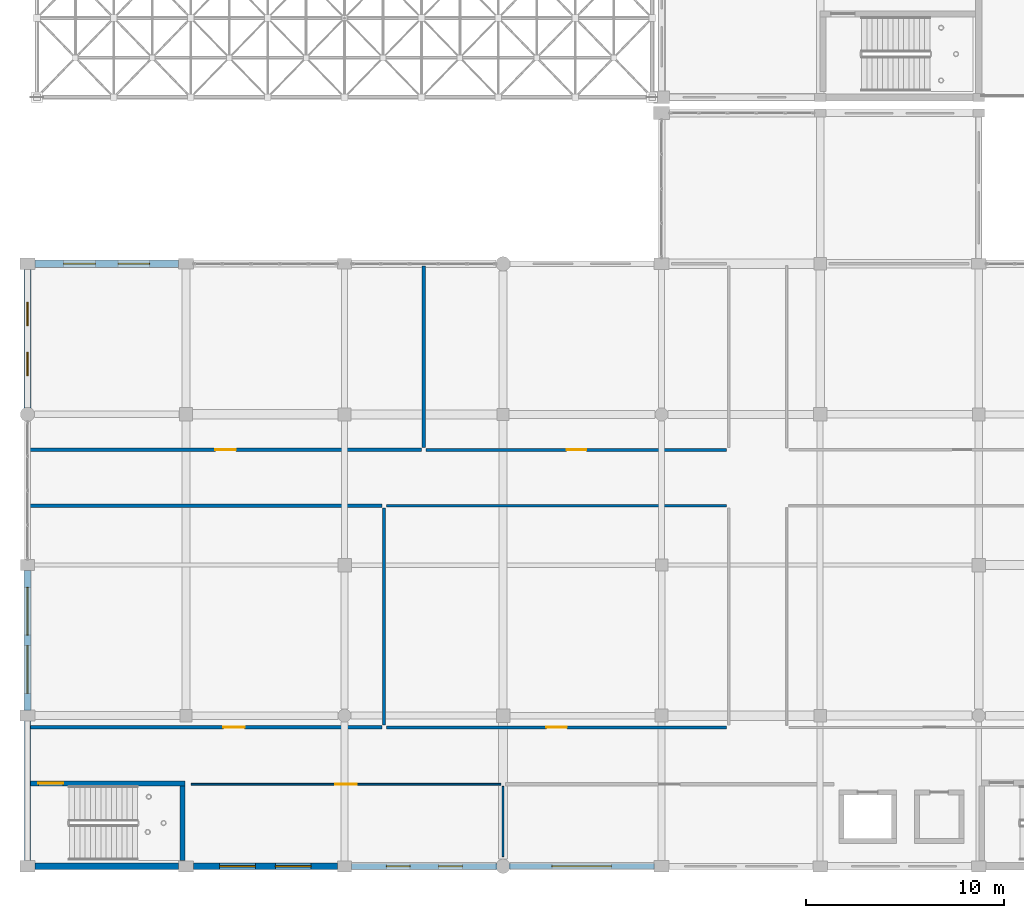
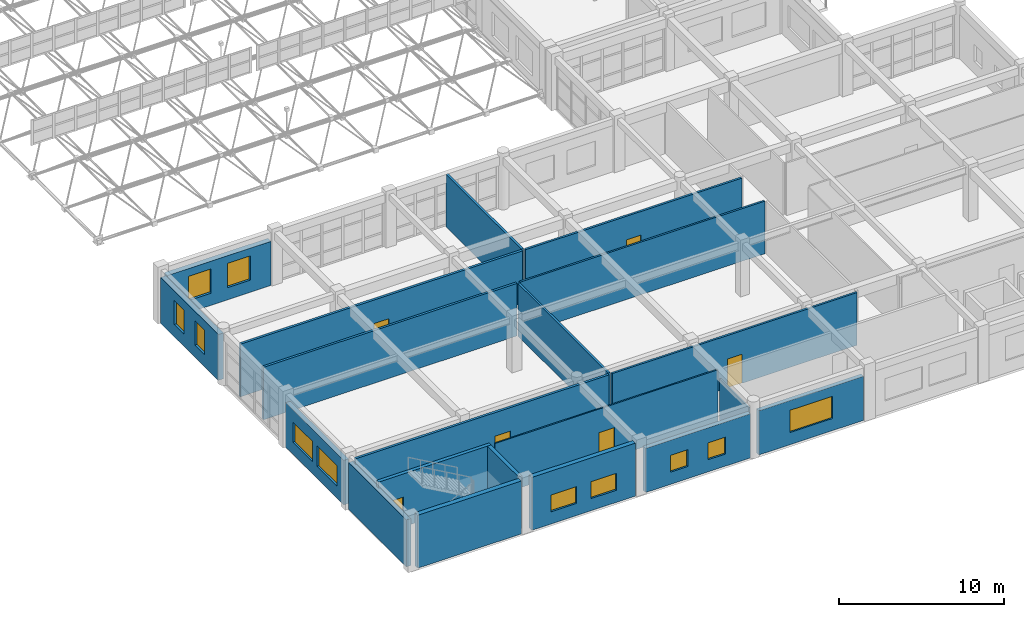
# One storey, part 164 of 195: 20 walls, 11 windows, 6 doors, 17 openings.
"""IFC4 building model written with IfcOpenShell, lengths in metres."""

from ifc_helpers import new_model, si_unit, direction, frame, frame_2d, origin, place, context, subcontext, project, spatial, rectangle, extrude, material, layer, layer_set, type_object, element, fill, save


model = new_model("IFC4")

# Units and contexts
model_context = context("Model", 3, precision=1e-05, world=origin(), true_north=direction((0.0, 1.0)))
body_context = subcontext(model_context, "Body", "Model", "MODEL_VIEW")
ifc_project = project(units=[si_unit("LENGTHUNIT", "METRE"), si_unit("AREAUNIT", "SQUARE_METRE"), si_unit("VOLUMEUNIT", "CUBIC_METRE"), si_unit("PLANEANGLEUNIT", "RADIAN"), si_unit("MASSUNIT", "GRAM", prefix="KILO")], contexts=[model_context])

# Site, building, storey
site_placement = place(None, origin())
site = spatial("IfcSite", under=ifc_project, at=site_placement, CompositionType="ELEMENT")
building_placement = place(site_placement, origin())
building = spatial("IfcBuilding", under=site, at=building_placement, Name="Kharva Crest Polytechnic", CompositionType="ELEMENT")
storey_placement = place(building_placement, frame((0.0, 0.0, 9.0)))
storey = spatial("IfcBuildingStorey", under=building, at=storey_placement, Name="L02", CompositionType="ELEMENT", Elevation=9.0)

# Wall, opening, window
ifc_material_1 = material(Name="Kiln brick masonry", Category="masonry")
ifc_layer_1 = layer(ifc_material_1, 0.2900390625, Name="Kiln brick masonry")
ifc_layer_set_1 = layer_set([ifc_layer_1], Name="Kiln brick masonry")
wall_type_1 = type_object("IfcWallType", Name="WL-EXT-BRK-290", PredefinedType="SOLIDWALL", material=ifc_layer_set_1)
wall_1_placement = place(storey_placement, frame((24.302490234375, 0.0, 0.0), z_axis=(0.0, 0.0, 1.0), x_axis=(1.0, 0.0, 0.0)))
wall_1 = element("IfcWall", 1, at=wall_1_placement, inside=storey, type_object=wall_type_1, Name="L02 Exterior Brick Wall 216", PredefinedType="SOLIDWALL", context=body_context, shape_type="SweptSolid", body=[
    extrude(rectangle(XDim=7.327392578125, YDim=0.2900390625, at=frame_2d((3.66357421875, 0.0))), origin(), (0.0, 0.0, 1.0), 3.27001953125),
])
opening_1_placement = place(wall_1_placement, frame((2.1640625, 0.0, 0.89990234375)))
opening_1 = element("IfcOpeningElement", 2, at=opening_1_placement, cuts=wall_1, Name="Opening W23", PredefinedType="OPENING", context=body_context, shape_type="SweptSolid", body=[
    extrude(rectangle(XDim=3.0, YDim=1.64990234375, at=frame_2d((1.5, 0.824951171875))), frame((0.0, 0.155029296875, 0.0), z_axis=(0.0, -1.0, 0.0), x_axis=(1.0, 0.0, 0.0)), (0.0, 0.0, 1.0), 0.31005859375),
])
ifc_material_2 = material(Name="Anodised aluminium", Category="aluminium")
window_type_1 = type_object("IfcWindowType", Name="WIN-ALU-3000X1650", PartitioningType="SINGLE_PANEL", PredefinedType="WINDOW", material=ifc_material_2)
window_1_placement = place(opening_1_placement, origin())
window_1 = element("IfcWindow", 3, at=window_1_placement, inside=storey, type_object=window_type_1, Name="L02 Exterior Window 284", OverallHeight=1.64990234375, OverallWidth=3.0, PartitioningType="SINGLE_PANEL", PredefinedType="WINDOW", context=body_context, shape_type="SweptSolid", body=[
    extrude(rectangle(XDim=3.0, YDim=1.64990234375, at=frame_2d((1.5, 0.824951171875))), frame((0.0, 0.030029296875, 0.0), z_axis=(0.0, -1.0, 0.0), x_axis=(1.0, 0.0, 0.0)), (0.0, 0.0, 1.0), 0.06005859375),
])
fill(opening_1, window_1)

# Wall, openings, windows
ifc_layer_2 = layer(ifc_material_1, 0.304931640625, Name="Kiln brick masonry")
ifc_layer_set_2 = layer_set([ifc_layer_2], Name="Kiln brick masonry")
wall_type_2 = type_object("IfcWallType", Name="WL-EXT-BRK-305", PredefinedType="SOLIDWALL", material=ifc_layer_set_2)
wall_2_placement = place(storey_placement, frame((16.35498046875, 0.0, 0.0), z_axis=(0.0, 0.0, 1.0), x_axis=(1.0, 0.0, 0.0)))
wall_2 = element("IfcWall", 4, at=wall_2_placement, inside=storey, type_object=wall_type_2, Name="L02 Exterior Brick Wall 215", PredefinedType="SOLIDWALL", context=body_context, shape_type="SweptSolid", body=[
    extrude(rectangle(XDim=7.342529296875, YDim=0.304931640625, at=frame_2d((3.67138671875, 0.0))), origin(), (0.0, 0.0, 1.0), 3.27001953125),
])
opening_2_placement = place(wall_2_placement, frame((1.75390625, 0.0, 0.89990234375)))
opening_2 = element("IfcOpeningElement", 5, at=opening_2_placement, cuts=wall_2, Name="Opening W21", PredefinedType="OPENING", context=body_context, shape_type="SweptSolid", body=[
    extrude(rectangle(XDim=1.199951171875, YDim=1.25, at=frame_2d((0.60009765625, 0.625))), frame((0.0, 0.162353515625, 0.0), z_axis=(0.0, -1.0, 0.0), x_axis=(1.0, 0.0, 0.0)), (0.0, 0.0, 1.0), 0.324951171875),
])
opening_3_placement = place(wall_2_placement, frame((4.387939453125, 0.0, 0.89990234375)))
opening_3 = element("IfcOpeningElement", 6, at=opening_3_placement, cuts=wall_2, Name="Opening W21", PredefinedType="OPENING", context=body_context, shape_type="SweptSolid", body=[
    extrude(rectangle(XDim=1.199951171875, YDim=1.25, at=frame_2d((0.60009765625, 0.625))), frame((0.0, 0.162353515625, 0.0), z_axis=(0.0, -1.0, 0.0), x_axis=(1.0, 0.0, 0.0)), (0.0, 0.0, 1.0), 0.324951171875),
])
window_type_2 = type_object("IfcWindowType", Name="WIN-ALU-1200X1250", PartitioningType="SINGLE_PANEL", PredefinedType="WINDOW", material=ifc_material_2)
window_2_placement = place(opening_2_placement, origin())
window_2 = element("IfcWindow", 7, at=window_2_placement, inside=storey, type_object=window_type_2, Name="L02 Exterior Window 282", OverallHeight=1.25, OverallWidth=1.199951171875, PartitioningType="SINGLE_PANEL", PredefinedType="WINDOW", context=body_context, shape_type="SweptSolid", body=[
    extrude(rectangle(XDim=1.199951171875, YDim=1.25, at=frame_2d((0.60009765625, 0.625))), frame((0.0, 0.030029296875, 0.0), z_axis=(0.0, -1.0, 0.0), x_axis=(1.0, 0.0, 0.0)), (0.0, 0.0, 1.0), 0.06005859375),
])
fill(opening_2, window_2)
window_3_placement = place(opening_3_placement, origin())
window_3 = element("IfcWindow", 8, at=window_3_placement, inside=storey, type_object=window_type_2, Name="L02 Exterior Window 283", OverallHeight=1.25, OverallWidth=1.199951171875, PartitioningType="SINGLE_PANEL", PredefinedType="WINDOW", context=body_context, shape_type="SweptSolid", body=[
    extrude(rectangle(XDim=1.199951171875, YDim=1.25, at=frame_2d((0.60009765625, 0.625))), frame((0.0, 0.030029296875, 0.0), z_axis=(0.0, -1.0, 0.0), x_axis=(1.0, 0.0, 0.0)), (0.0, 0.0, 1.0), 0.06005859375),
])
fill(opening_3, window_3)

ifc_layer_3 = layer(ifc_material_1, 0.320068359375, Name="Kiln brick masonry")
ifc_layer_set_3 = layer_set([ifc_layer_3], Name="Kiln brick masonry")
wall_type_3 = type_object("IfcWallType", Name="WL-EXT-BRK-320", PredefinedType="SOLIDWALL", material=ifc_layer_set_3)
wall_3_placement = place(storey_placement, frame((8.3701171875, 0.0, 0.0), z_axis=(0.0, 0.0, 1.0), x_axis=(1.0, 0.0, 0.0)))
wall_3 = element("IfcWall", 9, at=wall_3_placement, inside=storey, type_object=wall_type_3, Name="L02 Exterior Brick Wall 214", PredefinedType="SOLIDWALL", context=body_context, shape_type="SweptSolid", body=[
    extrude(rectangle(XDim=7.27490234375, YDim=0.320068359375, at=frame_2d((3.637451171875, 0.0))), origin(), (0.0, 0.0, 1.0), 3.919921875),
])
opening_4_placement = place(wall_3_placement, frame((1.33203125, 0.0, 0.89990234375)))
opening_4 = element("IfcOpeningElement", 10, at=opening_4_placement, cuts=wall_3, Name="Opening W19", PredefinedType="OPENING", context=body_context, shape_type="SweptSolid", body=[
    extrude(rectangle(XDim=1.800048828125, YDim=1.25, at=frame_2d((0.89990234375, 0.625))), frame((0.0, 0.169921875, 0.0), z_axis=(0.0, -1.0, 0.0), x_axis=(1.0, 0.0, 0.0)), (0.0, 0.0, 1.0), 0.340087890625),
])
opening_5_placement = place(wall_3_placement, frame((4.14306640625, 0.0, 0.89990234375)))
opening_5 = element("IfcOpeningElement", 11, at=opening_5_placement, cuts=wall_3, Name="Opening W19", PredefinedType="OPENING", context=body_context, shape_type="SweptSolid", body=[
    extrude(rectangle(XDim=1.800048828125, YDim=1.25, at=frame_2d((0.89990234375, 0.625))), frame((0.0, 0.169921875, 0.0), z_axis=(0.0, -1.0, 0.0), x_axis=(1.0, 0.0, 0.0)), (0.0, 0.0, 1.0), 0.340087890625),
])
window_type_3 = type_object("IfcWindowType", Name="WIN-ALU-1800X1250", PartitioningType="SINGLE_PANEL", PredefinedType="WINDOW", material=ifc_material_2)
window_4_placement = place(opening_4_placement, origin())
window_4 = element("IfcWindow", 12, at=window_4_placement, inside=storey, type_object=window_type_3, Name="L02 Exterior Window 280", OverallHeight=1.25, OverallWidth=1.800048828125, PartitioningType="SINGLE_PANEL", PredefinedType="WINDOW", context=body_context, shape_type="SweptSolid", body=[
    extrude(rectangle(XDim=1.800048828125, YDim=1.25, at=frame_2d((0.89990234375, 0.625))), frame((0.0, 0.030029296875, 0.0), z_axis=(0.0, -1.0, 0.0), x_axis=(1.0, 0.0, 0.0)), (0.0, 0.0, 1.0), 0.06005859375),
])
fill(opening_4, window_4)
window_5_placement = place(opening_5_placement, origin())
window_5 = element("IfcWindow", 13, at=window_5_placement, inside=storey, type_object=window_type_3, Name="L02 Exterior Window 281", OverallHeight=1.25, OverallWidth=1.800048828125, PartitioningType="SINGLE_PANEL", PredefinedType="WINDOW", context=body_context, shape_type="SweptSolid", body=[
    extrude(rectangle(XDim=1.800048828125, YDim=1.25, at=frame_2d((0.89990234375, 0.625))), frame((0.0, 0.030029296875, 0.0), z_axis=(0.0, -1.0, 0.0), x_axis=(1.0, 0.0, 0.0)), (0.0, 0.0, 1.0), 0.06005859375),
])
fill(opening_5, window_5)

# Walls
wall_4_placement = place(storey_placement, frame((0.0, 7.330078125, 0.0), z_axis=(0.0, 0.0, 1.0), x_axis=(0.0, -1.0, 0.0)))
element("IfcWall", 14, at=wall_4_placement, inside=storey, type_object=wall_type_3, Name="L02 Exterior Brick Wall 238", PredefinedType="SOLIDWALL", context=body_context, shape_type="SweptSolid", body=[
    extrude(rectangle(XDim=7.03515625, YDim=0.320068359375, at=frame_2d((3.517578125, 0.0))), origin(), (0.0, 0.0, 1.0), 3.47998046875),
])
ifc_layer_4 = layer(ifc_material_1, 0.3349609375, Name="Kiln brick masonry")
ifc_layer_set_4 = layer_set([ifc_layer_4], Name="Kiln brick masonry")
wall_type_4 = type_object("IfcWallType", Name="WL-EXT-BRK-335", PredefinedType="SOLIDWALL", material=ifc_layer_set_4)
wall_5_placement = place(storey_placement, frame((0.3701171875, 0.0, 0.0), z_axis=(0.0, 0.0, 1.0), x_axis=(1.0, 0.0, 0.0)))
element("IfcWall", 15, at=wall_5_placement, inside=storey, type_object=wall_type_4, Name="L02 Exterior Brick Wall 213", PredefinedType="SOLIDWALL", context=body_context, shape_type="SweptSolid", body=[
    extrude(rectangle(XDim=7.259765625, YDim=0.3349609375, at=frame_2d((3.6298828125, 0.0))), origin(), (0.0, 0.0, 1.0), 3.919921875),
])

# Wall, openings, windows
wall_6_placement = place(storey_placement, frame((0.0, 14.929931640625, 0.0), z_axis=(0.0, 0.0, 1.0), x_axis=(0.0, -1.0, 0.0)))
wall_6 = element("IfcWall", 16, at=wall_6_placement, inside=storey, type_object=wall_type_4, Name="L02 Exterior Brick Wall 237", PredefinedType="SOLIDWALL", context=body_context, shape_type="SweptSolid", body=[
    extrude(rectangle(XDim=7.059814453125, YDim=0.3349609375, at=frame_2d((3.52978515625, 0.0))), origin(), (0.0, 0.0, 1.0), 3.300048828125),
])
opening_6_placement = place(wall_6_placement, frame((0.860107421875, 0.0, 0.89990234375)))
opening_6 = element("IfcOpeningElement", 17, at=opening_6_placement, cuts=wall_6, Name="Opening W10", PredefinedType="OPENING", context=body_context, shape_type="SweptSolid", body=[
    extrude(rectangle(XDim=2.39990234375, YDim=1.5, at=frame_2d((1.199951171875, 0.75))), frame((0.0, 0.177490234375, 0.0), z_axis=(0.0, -1.0, 0.0), x_axis=(1.0, 0.0, 0.0)), (0.0, 0.0, 1.0), 0.35498046875),
])
opening_7_placement = place(wall_6_placement, frame((3.800048828125, 0.0, 0.89990234375)))
opening_7 = element("IfcOpeningElement", 18, at=opening_7_placement, cuts=wall_6, Name="Opening W10", PredefinedType="OPENING", context=body_context, shape_type="SweptSolid", body=[
    extrude(rectangle(XDim=2.39990234375, YDim=1.5, at=frame_2d((1.199951171875, 0.75))), frame((0.0, 0.177490234375, 0.0), z_axis=(0.0, -1.0, 0.0), x_axis=(1.0, 0.0, 0.0)), (0.0, 0.0, 1.0), 0.35498046875),
])
window_type_4 = type_object("IfcWindowType", Name="WIN-ALU-2400X1500", PartitioningType="SINGLE_PANEL", PredefinedType="WINDOW", material=ifc_material_2)
window_6_placement = place(opening_6_placement, origin())
window_6 = element("IfcWindow", 19, at=window_6_placement, inside=storey, type_object=window_type_4, Name="L02 Exterior Window 319", OverallHeight=1.5, OverallWidth=2.39990234375, PartitioningType="SINGLE_PANEL", PredefinedType="WINDOW", context=body_context, shape_type="SweptSolid", body=[
    extrude(rectangle(XDim=2.39990234375, YDim=1.5, at=frame_2d((1.199951171875, 0.75))), frame((0.0, 0.030029296875, 0.0), z_axis=(0.0, -1.0, 0.0), x_axis=(1.0, 0.0, 0.0)), (0.0, 0.0, 1.0), 0.06005859375),
])
fill(opening_6, window_6)
window_7_placement = place(opening_7_placement, origin())
window_7 = element("IfcWindow", 20, at=window_7_placement, inside=storey, type_object=window_type_4, Name="L02 Exterior Window 320", OverallHeight=1.5, OverallWidth=2.39990234375, PartitioningType="SINGLE_PANEL", PredefinedType="WINDOW", context=body_context, shape_type="SweptSolid", body=[
    extrude(rectangle(XDim=2.39990234375, YDim=1.5, at=frame_2d((1.199951171875, 0.75))), frame((0.0, 0.030029296875, 0.0), z_axis=(0.0, -1.0, 0.0), x_axis=(1.0, 0.0, 0.0)), (0.0, 0.0, 1.0), 0.06005859375),
])
fill(opening_7, window_7)

ifc_layer_5 = layer(ifc_material_1, 0.364990234375, Name="Kiln brick masonry")
ifc_layer_set_5 = layer_set([ifc_layer_5], Name="Kiln brick masonry")
wall_type_5 = type_object("IfcWallType", Name="WL-EXT-BRK-365", PredefinedType="SOLIDWALL", material=ifc_layer_set_5)
wall_7_placement = place(storey_placement, frame((0.0, 30.10498046875, 0.0), z_axis=(0.0, 0.0, 1.0), x_axis=(0.0, -1.0, 0.0)))
wall_7 = element("IfcWall", 21, at=wall_7_placement, inside=storey, type_object=wall_type_5, Name="L02 Exterior Brick Wall 236", PredefinedType="SOLIDWALL", context=body_context, shape_type="SweptSolid", body=[
    extrude(rectangle(XDim=7.002685546875, YDim=0.364990234375, at=frame_2d((3.50146484375, 0.0))), origin(), (0.0, 0.0, 1.0), 3.39990234375),
])
opening_8_placement = place(wall_7_placement, frame((1.64111328125, 0.0, 0.89990234375)))
opening_8 = element("IfcOpeningElement", 22, at=opening_8_placement, cuts=wall_7, Name="Opening W08", PredefinedType="OPENING", context=body_context, shape_type="SweptSolid", body=[
    extrude(rectangle(XDim=1.199951171875, YDim=1.800048828125, at=frame_2d((0.60009765625, 0.89990234375))), frame((0.0, 0.1923828125, 0.0), z_axis=(0.0, -1.0, 0.0), x_axis=(1.0, 0.0, 0.0)), (0.0, 0.0, 1.0), 0.385009765625),
])
opening_9_placement = place(wall_7_placement, frame((4.162109375, 0.0, 0.89990234375)))
opening_9 = element("IfcOpeningElement", 23, at=opening_9_placement, cuts=wall_7, Name="Opening W08", PredefinedType="OPENING", context=body_context, shape_type="SweptSolid", body=[
    extrude(rectangle(XDim=1.199951171875, YDim=1.800048828125, at=frame_2d((0.60009765625, 0.89990234375))), frame((0.0, 0.1923828125, 0.0), z_axis=(0.0, -1.0, 0.0), x_axis=(1.0, 0.0, 0.0)), (0.0, 0.0, 1.0), 0.385009765625),
])
window_type_5 = type_object("IfcWindowType", Name="WIN-ALU-1200X1800", PartitioningType="SINGLE_PANEL", PredefinedType="WINDOW", material=ifc_material_2)
window_8_placement = place(opening_8_placement, origin())
window_8 = element("IfcWindow", 24, at=window_8_placement, inside=storey, type_object=window_type_5, Name="L02 Exterior Window 317", OverallHeight=1.800048828125, OverallWidth=1.199951171875, PartitioningType="SINGLE_PANEL", PredefinedType="WINDOW", context=body_context, shape_type="SweptSolid", body=[
    extrude(rectangle(XDim=1.199951171875, YDim=1.800048828125, at=frame_2d((0.60009765625, 0.89990234375))), frame((0.0, 0.030029296875, 0.0), z_axis=(0.0, -1.0, 0.0), x_axis=(1.0, 0.0, 0.0)), (0.0, 0.0, 1.0), 0.06005859375),
])
fill(opening_8, window_8)
window_9_placement = place(opening_9_placement, origin())
window_9 = element("IfcWindow", 25, at=window_9_placement, inside=storey, type_object=window_type_5, Name="L02 Exterior Window 318", OverallHeight=1.800048828125, OverallWidth=1.199951171875, PartitioningType="SINGLE_PANEL", PredefinedType="WINDOW", context=body_context, shape_type="SweptSolid", body=[
    extrude(rectangle(XDim=1.199951171875, YDim=1.800048828125, at=frame_2d((0.60009765625, 0.89990234375))), frame((0.0, 0.030029296875, 0.0), z_axis=(0.0, -1.0, 0.0), x_axis=(1.0, 0.0, 0.0)), (0.0, 0.0, 1.0), 0.06005859375),
])
fill(opening_9, window_9)

ifc_layer_6 = layer(ifc_material_1, 0.3798828125, Name="Kiln brick masonry")
ifc_layer_set_6 = layer_set([ifc_layer_6], Name="Kiln brick masonry")
wall_type_6 = type_object("IfcWallType", Name="WL-EXT-BRK-380", PredefinedType="SOLIDWALL", material=ifc_layer_set_6)
wall_8_placement = place(storey_placement, frame((7.6298828125, 30.39990234375, 0.0), z_axis=(0.0, 0.0, 1.0), x_axis=(-1.0, 0.0, 0.0)))
wall_8 = element("IfcWall", 26, at=wall_8_placement, inside=storey, type_object=wall_type_6, Name="L02 Exterior Brick Wall 235", PredefinedType="SOLIDWALL", context=body_context, shape_type="SweptSolid", body=[
    extrude(rectangle(XDim=7.259765625, YDim=0.3798828125, at=frame_2d((3.6298828125, 0.0))), origin(), (0.0, 0.0, 1.0), 3.27001953125),
])
opening_10_placement = place(wall_8_placement, frame((1.4599609375, 0.0, 0.89990234375)))
opening_10 = element("IfcOpeningElement", 27, at=opening_10_placement, cuts=wall_8, Name="Opening W06", PredefinedType="OPENING", context=body_context, shape_type="SweptSolid", body=[
    extrude(rectangle(XDim=1.60009765625, YDim=1.800048828125, at=frame_2d((0.800048828125, 0.89990234375))), frame((0.0, 0.199951171875, 0.0), z_axis=(0.0, -1.0, 0.0), x_axis=(1.0, 0.0, 0.0)), (0.0, 0.0, 1.0), 0.39990234375),
])
opening_11_placement = place(wall_8_placement, frame((4.199951171875, 0.0, 0.89990234375)))
opening_11 = element("IfcOpeningElement", 28, at=opening_11_placement, cuts=wall_8, Name="Opening W06", PredefinedType="OPENING", context=body_context, shape_type="SweptSolid", body=[
    extrude(rectangle(XDim=1.60009765625, YDim=1.800048828125, at=frame_2d((0.800048828125, 0.89990234375))), frame((0.0, 0.199951171875, 0.0), z_axis=(0.0, -1.0, 0.0), x_axis=(1.0, 0.0, 0.0)), (0.0, 0.0, 1.0), 0.39990234375),
])
window_type_6 = type_object("IfcWindowType", Name="WIN-ALU-1600X1800", PartitioningType="SINGLE_PANEL", PredefinedType="WINDOW", material=ifc_material_2)
window_10_placement = place(opening_10_placement, origin())
window_10 = element("IfcWindow", 29, at=window_10_placement, inside=storey, type_object=window_type_6, Name="L02 Exterior Window 315", OverallHeight=1.800048828125, OverallWidth=1.60009765625, PartitioningType="SINGLE_PANEL", PredefinedType="WINDOW", context=body_context, shape_type="SweptSolid", body=[
    extrude(rectangle(XDim=1.60009765625, YDim=1.800048828125, at=frame_2d((0.800048828125, 0.89990234375))), frame((0.0, 0.030029296875, 0.0), z_axis=(0.0, -1.0, 0.0), x_axis=(1.0, 0.0, 0.0)), (0.0, 0.0, 1.0), 0.06005859375),
])
fill(opening_10, window_10)
window_11_placement = place(opening_11_placement, origin())
window_11 = element("IfcWindow", 30, at=window_11_placement, inside=storey, type_object=window_type_6, Name="L02 Exterior Window 316", OverallHeight=1.800048828125, OverallWidth=1.60009765625, PartitioningType="SINGLE_PANEL", PredefinedType="WINDOW", context=body_context, shape_type="SweptSolid", body=[
    extrude(rectangle(XDim=1.60009765625, YDim=1.800048828125, at=frame_2d((0.800048828125, 0.89990234375))), frame((0.0, 0.030029296875, 0.0), z_axis=(0.0, -1.0, 0.0), x_axis=(1.0, 0.0, 0.0)), (0.0, 0.0, 1.0), 0.06005859375),
])
fill(opening_11, window_11)

# Wall
ifc_layer_7 = layer(ifc_material_1, 0.090087890625, Name="Kiln brick masonry")
ifc_layer_set_7 = layer_set([ifc_layer_7], Name="Kiln brick masonry")
wall_type_7 = type_object("IfcWallType", Name="WL-PART-090", PredefinedType="PARTITIONING", material=ifc_layer_set_7)
wall_9_placement = place(storey_placement, frame((24.0, 0.489990234375, 0.0), z_axis=(0.0, 0.0, 1.0), x_axis=(0.0, 1.0, 0.0)))
element("IfcWall", 31, at=wall_9_placement, inside=storey, type_object=wall_type_7, Name="L02 Interior Partition 209", PredefinedType="PARTITIONING", context=body_context, shape_type="SweptSolid", body=[
    extrude(rectangle(XDim=3.5400390625, YDim=0.090087890625, at=frame_2d((1.77001953125, 0.0))), origin(), (0.0, 0.0, 1.0), 3.239990234375),
])

# Wall, opening, door
ifc_layer_8 = layer(ifc_material_1, 0.10009765625, Name="Kiln brick masonry")
ifc_layer_set_8 = layer_set([ifc_layer_8], Name="Kiln brick masonry")
wall_type_8 = type_object("IfcWallType", Name="WL-PART-100", PredefinedType="PARTITIONING", material=ifc_layer_set_8)
wall_10_placement = place(storey_placement, frame((8.260009765625, 4.139892578125, 0.0), z_axis=(0.0, 0.0, 1.0), x_axis=(1.0, 0.0, 0.0)))
wall_10 = element("IfcWall", 32, at=wall_10_placement, inside=storey, type_object=wall_type_8, Name="L02 Interior Partition 208", PredefinedType="PARTITIONING", context=body_context, shape_type="SweptSolid", body=[
    extrude(rectangle(XDim=15.6298828125, YDim=0.10009765625, at=frame_2d((7.81494140625, 0.0))), origin(), (0.0, 0.0, 1.0), 3.89990234375),
])
opening_12_placement = place(wall_10_placement, frame((7.27490234375, 0.0, 0.0)))
opening_12 = element("IfcOpeningElement", 33, at=opening_12_placement, cuts=wall_10, Name="Opening ID10", PredefinedType="OPENING", context=body_context, shape_type="SweptSolid", body=[
    extrude(rectangle(XDim=1.080078125, YDim=2.14990234375, at=frame_2d((0.5400390625, 1.074951171875))), frame((0.0, 0.06005859375, 0.0), z_axis=(0.0, -1.0, 0.0), x_axis=(1.0, 0.0, 0.0)), (0.0, 0.0, 1.0), 0.1201171875),
])
ifc_material_3 = material(Name="Teak timber", Category="wood")
door_type_1 = type_object("IfcDoorType", Name="DR-CLS-1080X2150", OperationType="NOTDEFINED", PredefinedType="DOOR", material=ifc_material_3)
door_1_placement = place(opening_12_placement, origin())
door_1 = element("IfcDoor", 34, at=door_1_placement, inside=storey, type_object=door_type_1, Name="L02 Classroom L02-1 Door", OperationType="SINGLE_SWING_LEFT", OverallHeight=2.14990234375, OverallWidth=1.080078125, PredefinedType="DOOR", context=body_context, shape_type="SweptSolid", body=[
    extrude(rectangle(XDim=1.080078125, YDim=2.14990234375, at=frame_2d((0.5400390625, 1.074951171875))), frame((0.0, 0.02490234375, 0.0), z_axis=(0.0, -1.0, 0.0), x_axis=(1.0, 0.0, 0.0)), (0.0, 0.0, 1.0), 0.050048828125),
])
fill(opening_12, door_1)

# Wall
ifc_layer_9 = layer(ifc_material_1, 0.1298828125, Name="Kiln brick masonry")
ifc_layer_set_9 = layer_set([ifc_layer_9], Name="Kiln brick masonry")
wall_type_9 = type_object("IfcWallType", Name="WL-PART-130", PredefinedType="PARTITIONING", material=ifc_layer_set_9)
wall_11_placement = place(storey_placement, frame((18.1201171875, 18.18994140625, 0.0), z_axis=(0.0, 0.0, 1.0), x_axis=(1.0, 0.0, 0.0)))
element("IfcWall", 35, at=wall_11_placement, inside=storey, type_object=wall_type_9, Name="L02 Interior Partition 215", PredefinedType="PARTITIONING", context=body_context, shape_type="SweptSolid", body=[
    extrude(rectangle(XDim=17.159912109375, YDim=0.1298828125, at=frame_2d((8.580078125, 0.0))), origin(), (0.0, 0.0, 1.0), 3.89990234375),
])

# Wall, opening, door
ifc_layer_10 = layer(ifc_material_1, 0.139892578125, Name="Kiln brick masonry")
ifc_layer_set_10 = layer_set([ifc_layer_10], Name="Kiln brick masonry")
wall_type_10 = type_object("IfcWallType", Name="WL-PART-140", PredefinedType="PARTITIONING", material=ifc_layer_set_10)
wall_12_placement = place(storey_placement, frame((18.1201171875, 7.010009765625, 0.0), z_axis=(0.0, 0.0, 1.0), x_axis=(1.0, 0.0, 0.0)))
wall_12 = element("IfcWall", 36, at=wall_12_placement, inside=storey, type_object=wall_type_10, Name="L02 Interior Partition 214", PredefinedType="PARTITIONING", context=body_context, shape_type="SweptSolid", body=[
    extrude(rectangle(XDim=17.159912109375, YDim=0.139892578125, at=frame_2d((8.580078125, 0.0))), origin(), (0.0, 0.0, 1.0), 3.89990234375),
])
opening_13_placement = place(wall_12_placement, frame((8.06005859375, 0.0, 0.0)))
opening_13 = element("IfcOpeningElement", 37, at=opening_13_placement, cuts=wall_12, Name="Opening ID11", PredefinedType="OPENING", context=body_context, shape_type="SweptSolid", body=[
    extrude(rectangle(XDim=1.0400390625, YDim=2.14990234375, at=frame_2d((0.52001953125, 1.074951171875))), frame((0.0, 0.079833984375, 0.0), z_axis=(0.0, -1.0, 0.0), x_axis=(1.0, 0.0, 0.0)), (0.0, 0.0, 1.0), 0.159912109375),
])
door_type_2 = type_object("IfcDoorType", Name="DR-CLS-1040X2150", OperationType="NOTDEFINED", PredefinedType="DOOR", material=ifc_material_3)
door_2_placement = place(opening_13_placement, origin())
door_2 = element("IfcDoor", 38, at=door_2_placement, inside=storey, type_object=door_type_2, Name="L02 Seminar Room L02-4 Door", OperationType="SINGLE_SWING_RIGHT", OverallHeight=2.14990234375, OverallWidth=1.0400390625, PredefinedType="DOOR", context=body_context, shape_type="SweptSolid", body=[
    extrude(rectangle(XDim=1.0400390625, YDim=2.14990234375, at=frame_2d((0.52001953125, 1.074951171875))), frame((0.0, 0.02490234375, 0.0), z_axis=(0.0, -1.0, 0.0), x_axis=(1.0, 0.0, 0.0)), (0.0, 0.0, 1.0), 0.050048828125),
])
fill(opening_13, door_2)

# Wall
ifc_layer_11 = layer(ifc_material_1, 0.14990234375, Name="Kiln brick masonry")
ifc_layer_set_11 = layer_set([ifc_layer_11], Name="Kiln brick masonry")
wall_type_11 = type_object("IfcWallType", Name="WL-PART-150", PredefinedType="PARTITIONING", material=ifc_layer_set_11)
wall_13_placement = place(storey_placement, frame((18.0, 7.1201171875, 0.0), z_axis=(0.0, 0.0, 1.0), x_axis=(0.0, 1.0, 0.0)))
element("IfcWall", 39, at=wall_13_placement, inside=storey, type_object=wall_type_11, Name="L02 Interior Partition 213", PredefinedType="PARTITIONING", context=body_context, shape_type="SweptSolid", body=[
    extrude(rectangle(XDim=10.9599609375, YDim=0.14990234375, at=frame_2d((5.47998046875, 0.0))), origin(), (0.0, 0.0, 1.0), 3.89990234375),
])

# Wall, opening, door
wall_14_placement = place(storey_placement, frame((20.1201171875, 21.010009765625, 0.0), z_axis=(0.0, 0.0, 1.0), x_axis=(1.0, 0.0, 0.0)))
wall_14 = element("IfcWall", 40, at=wall_14_placement, inside=storey, type_object=wall_type_11, Name="L02 Interior Partition 223", PredefinedType="PARTITIONING", context=body_context, shape_type="SweptSolid", body=[
    extrude(rectangle(XDim=15.159912109375, YDim=0.14990234375, at=frame_2d((7.580078125, 0.0))), origin(), (0.0, 0.0, 1.0), 3.89990234375),
])
opening_14_placement = place(wall_14_placement, frame((7.080078125, 0.0, 0.0)))
opening_14 = element("IfcOpeningElement", 41, at=opening_14_placement, cuts=wall_14, Name="Opening ID12", PredefinedType="OPENING", context=body_context, shape_type="SweptSolid", body=[
    extrude(rectangle(XDim=1.0, YDim=2.14990234375, at=frame_2d((0.5, 1.074951171875))), frame((0.0, 0.0849609375, 0.0), z_axis=(0.0, -1.0, 0.0), x_axis=(1.0, 0.0, 0.0)), (0.0, 0.0, 1.0), 0.169921875),
])
door_type_3 = type_object("IfcDoorType", Name="DR-OFF-1000X2150", OperationType="NOTDEFINED", PredefinedType="DOOR", material=ifc_material_3)
door_3_placement = place(opening_14_placement, origin())
door_3 = element("IfcDoor", 42, at=door_3_placement, inside=storey, type_object=door_type_3, Name="L02 Faculty Office L02-SW Door", OperationType="SINGLE_SWING_LEFT", OverallHeight=2.14990234375, OverallWidth=1.0, PredefinedType="DOOR", context=body_context, shape_type="SweptSolid", body=[
    extrude(rectangle(XDim=1.0, YDim=2.14990234375, at=frame_2d((0.5, 1.074951171875))), frame((0.0, 0.02490234375, 0.0), z_axis=(0.0, -1.0, 0.0), x_axis=(1.0, 0.0, 0.0)), (0.0, 0.0, 1.0), 0.050048828125),
])
fill(opening_14, door_3)

# Walls
ifc_layer_12 = layer(ifc_material_1, 0.159912109375, Name="Kiln brick masonry")
ifc_layer_set_12 = layer_set([ifc_layer_12], Name="Kiln brick masonry")
wall_type_12 = type_object("IfcWallType", Name="WL-PART-160", PredefinedType="PARTITIONING", material=ifc_layer_set_12)
wall_15_placement = place(storey_placement, frame((0.110107421875, 18.18994140625, 0.0), z_axis=(0.0, 0.0, 1.0), x_axis=(1.0, 0.0, 0.0)))
element("IfcWall", 43, at=wall_15_placement, inside=storey, type_object=wall_type_12, Name="L02 Interior Partition 212", PredefinedType="PARTITIONING", context=body_context, shape_type="SweptSolid", body=[
    extrude(rectangle(XDim=17.77978515625, YDim=0.159912109375, at=frame_2d((8.889892578125, 0.0))), origin(), (0.0, 0.0, 1.0), 3.89990234375),
])
wall_16_placement = place(storey_placement, frame((20.0, 21.1201171875, 0.0), z_axis=(0.0, 0.0, 1.0), x_axis=(0.0, 1.0, 0.0)))
element("IfcWall", 44, at=wall_16_placement, inside=storey, type_object=wall_type_12, Name="L02 Interior Partition 222", PredefinedType="PARTITIONING", context=body_context, shape_type="SweptSolid", body=[
    extrude(rectangle(XDim=9.169921875, YDim=0.159912109375, at=frame_2d((4.5849609375, 0.0))), origin(), (0.0, 0.0, 1.0), 3.89990234375),
])

# Wall, opening, door
ifc_layer_13 = layer(ifc_material_1, 0.169921875, Name="Kiln brick masonry")
ifc_layer_set_13 = layer_set([ifc_layer_13], Name="Kiln brick masonry")
wall_type_13 = type_object("IfcWallType", Name="WL-PART-170", PredefinedType="PARTITIONING", material=ifc_layer_set_13)
wall_17_placement = place(storey_placement, frame((0.110107421875, 7.010009765625, 0.0), z_axis=(0.0, 0.0, 1.0), x_axis=(1.0, 0.0, 0.0)))
wall_17 = element("IfcWall", 45, at=wall_17_placement, inside=storey, type_object=wall_type_13, Name="L02 Interior Partition 211", PredefinedType="PARTITIONING", context=body_context, shape_type="SweptSolid", body=[
    extrude(rectangle(XDim=17.77978515625, YDim=0.169921875, at=frame_2d((8.889892578125, 0.0))), origin(), (0.0, 0.0, 1.0), 3.89990234375),
])
opening_15_placement = place(wall_17_placement, frame((9.77197265625, 0.0, 0.0)))
opening_15 = element("IfcOpeningElement", 46, at=opening_15_placement, cuts=wall_17, Name="Opening ID10", PredefinedType="OPENING", context=body_context, shape_type="SweptSolid", body=[
    extrude(rectangle(XDim=1.080078125, YDim=2.14990234375, at=frame_2d((0.5400390625, 1.074951171875))), frame((0.0, 0.094970703125, 0.0), z_axis=(0.0, -1.0, 0.0), x_axis=(1.0, 0.0, 0.0)), (0.0, 0.0, 1.0), 0.18994140625),
])
door_4_placement = place(opening_15_placement, origin())
door_4 = element("IfcDoor", 47, at=door_4_placement, inside=storey, type_object=door_type_1, Name="L02 Classroom L02-3 Door", OperationType="SINGLE_SWING_LEFT", OverallHeight=2.14990234375, OverallWidth=1.080078125, PredefinedType="DOOR", context=body_context, shape_type="SweptSolid", body=[
    extrude(rectangle(XDim=1.080078125, YDim=2.14990234375, at=frame_2d((0.5400390625, 1.074951171875))), frame((0.0, 0.02490234375, 0.0), z_axis=(0.0, -1.0, 0.0), x_axis=(1.0, 0.0, 0.0)), (0.0, 0.0, 1.0), 0.050048828125),
])
fill(opening_15, door_4)

wall_18_placement = place(storey_placement, frame((0.110107421875, 21.010009765625, 0.0), z_axis=(0.0, 0.0, 1.0), x_axis=(1.0, 0.0, 0.0)))
wall_18 = element("IfcWall", 48, at=wall_18_placement, inside=storey, type_object=wall_type_13, Name="L02 Interior Partition 221", PredefinedType="PARTITIONING", context=body_context, shape_type="SweptSolid", body=[
    extrude(rectangle(XDim=19.77978515625, YDim=0.169921875, at=frame_2d((9.889892578125, 0.0))), origin(), (0.0, 0.0, 1.0), 3.89990234375),
])
opening_16_placement = place(wall_18_placement, frame((9.3701171875, 0.0, 0.0)))
opening_16 = element("IfcOpeningElement", 49, at=opening_16_placement, cuts=wall_18, Name="Opening ID11", PredefinedType="OPENING", context=body_context, shape_type="SweptSolid", body=[
    extrude(rectangle(XDim=1.0400390625, YDim=2.14990234375, at=frame_2d((0.52001953125, 1.074951171875))), frame((0.0, 0.094970703125, 0.0), z_axis=(0.0, -1.0, 0.0), x_axis=(1.0, 0.0, 0.0)), (0.0, 0.0, 1.0), 0.18994140625),
])
door_5_placement = place(opening_16_placement, origin())
door_5 = element("IfcDoor", 50, at=door_5_placement, inside=storey, type_object=door_type_2, Name="L02 Critique Seminar Room L02-6 Door", OperationType="SINGLE_SWING_RIGHT", OverallHeight=2.14990234375, OverallWidth=1.0400390625, PredefinedType="DOOR", context=body_context, shape_type="SweptSolid", body=[
    extrude(rectangle(XDim=1.0400390625, YDim=2.14990234375, at=frame_2d((0.52001953125, 1.074951171875))), frame((0.0, 0.02490234375, 0.0), z_axis=(0.0, -1.0, 0.0), x_axis=(1.0, 0.0, 0.0)), (0.0, 0.0, 1.0), 0.050048828125),
])
fill(opening_16, door_5)

ifc_material_4 = material(Name="Concrete C40/50", Category="concrete")
ifc_layer_14 = layer(ifc_material_4, 0.25, Name="Concrete C40/50")
ifc_layer_set_14 = layer_set([ifc_layer_14], Name="Concrete C40/50")
wall_type_14 = type_object("IfcWallType", Name="WL-SHEAR-SW1-250", PredefinedType="SHEAR", material=ifc_layer_set_14)
wall_19_placement = place(storey_placement, frame((0.050048828125, 4.18505859375, 0.0), z_axis=(0.0, 0.0, 1.0), x_axis=(1.0, 0.0, 0.0)))
wall_19 = element("IfcWall", 51, at=wall_19_placement, inside=storey, type_object=wall_type_14, Name="L02 West Lecture Wing Stair C10 North Shear Wall", PredefinedType="SHEAR", context=body_context, shape_type="SweptSolid", body=[
    extrude(rectangle(XDim=7.89990234375, YDim=0.25, at=frame_2d((3.949951171875, 0.0))), origin(), (0.0, 0.0, 1.0), 3.919921875),
])
opening_17_placement = place(wall_19_placement, frame((0.5, 0.0, 0.0)))
opening_17 = element("IfcOpeningElement", 52, at=opening_17_placement, cuts=wall_19, Name="Opening FD1B", PredefinedType="OPENING", context=body_context, shape_type="SweptSolid", body=[
    extrude(rectangle(XDim=1.25, YDim=2.199951171875, at=frame_2d((0.625, 1.10009765625))), frame((0.0, 0.135009765625, 0.0), z_axis=(0.0, -1.0, 0.0), x_axis=(1.0, 0.0, 0.0)), (0.0, 0.0, 1.0), 0.27001953125),
])
door_type_4 = type_object("IfcDoorType", Name="DR-STAIR-1250X2200", OperationType="NOTDEFINED", PredefinedType="DOOR", material=ifc_material_3)
door_6_placement = place(opening_17_placement, origin())
door_6 = element("IfcDoor", 53, at=door_6_placement, inside=storey, type_object=door_type_4, Name="L02 ST-10 Stair Door", OperationType="SINGLE_SWING_LEFT", OverallHeight=2.199951171875, OverallWidth=1.25, PredefinedType="DOOR", context=body_context, shape_type="SweptSolid", body=[
    extrude(rectangle(XDim=1.25, YDim=2.199951171875, at=frame_2d((0.625, 1.10009765625))), frame((0.0, 0.02490234375, 0.0), z_axis=(0.0, -1.0, 0.0), x_axis=(1.0, 0.0, 0.0)), (0.0, 0.0, 1.0), 0.050048828125),
])
fill(opening_17, door_6)

# Wall
wall_20_placement = place(storey_placement, frame((7.824951171875, 0.300048828125, 0.0), z_axis=(0.0, 0.0, 1.0), x_axis=(0.0, 1.0, 0.0)))
element("IfcWall", 54, at=wall_20_placement, inside=storey, type_object=wall_type_14, Name="L02 West Lecture Wing Stair C10 East Shear Wall", PredefinedType="SHEAR", context=body_context, shape_type="SweptSolid", body=[
    extrude(rectangle(XDim=3.760009765625, YDim=0.25, at=frame_2d((1.8798828125, 0.0))), origin(), (0.0, 0.0, 1.0), 3.919921875),
])

save(model, "model.ifc")
